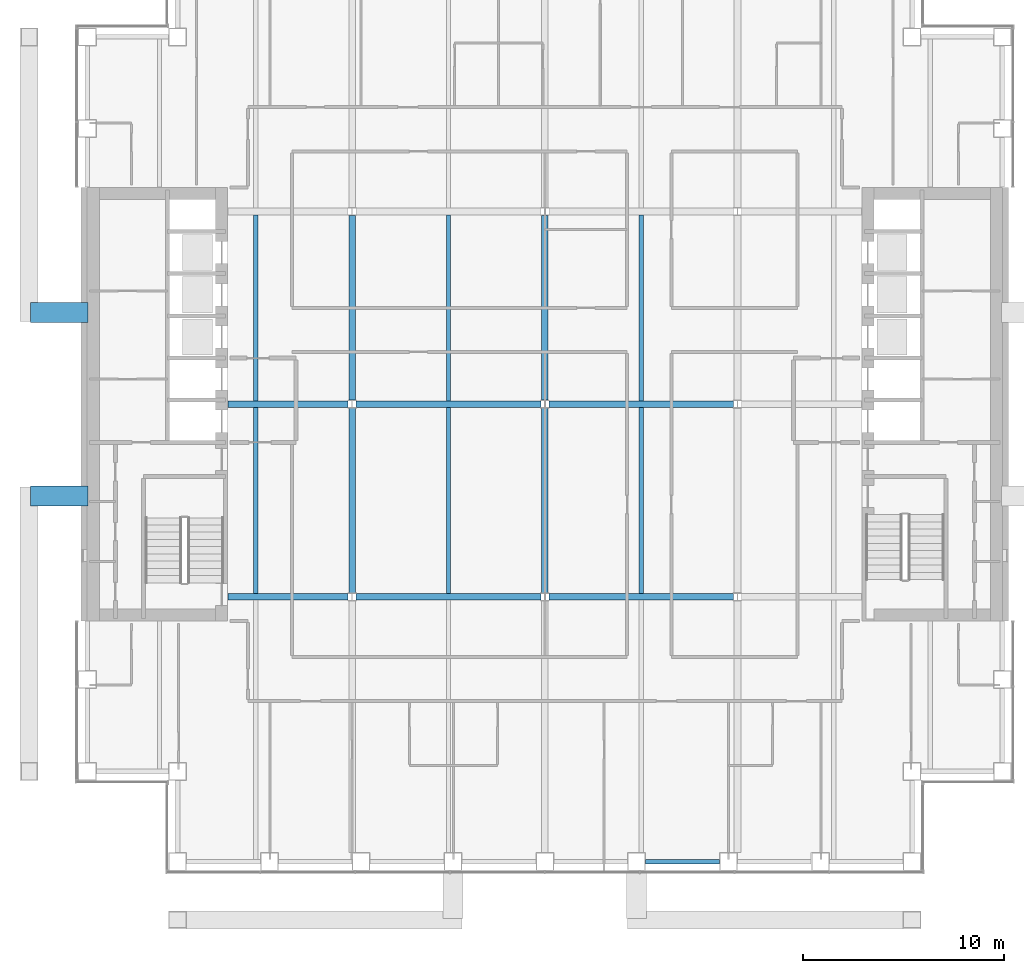
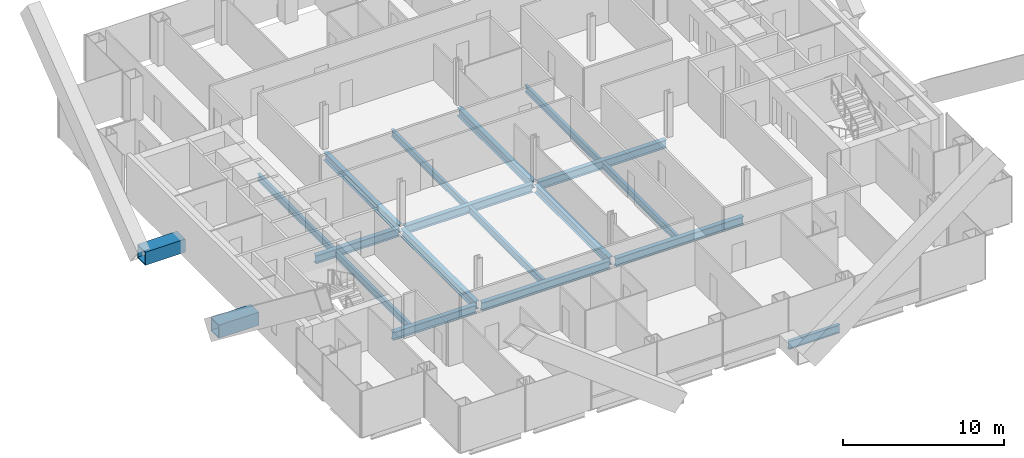
# One storey, part 4 of 17: 19 beams.
"""IFC4 building model written with IfcOpenShell, lengths in metres."""

from ifc_helpers import new_model, si_unit, direction, frame, origin, origin_2d, place, context, subcontext, project, spatial, hollow_rectangle, i_section, extrude, material, material_profile, profile_set, type_object, element, save


model = new_model("IFC4")

# Units and contexts
model_context = context("Model", 3, precision=1e-05, world=origin(), true_north=direction((0.0, 1.0)))
body_context = subcontext(model_context, "Body", "Model", "MODEL_VIEW")
ifc_project = project(units=[si_unit("LENGTHUNIT", "METRE"), si_unit("AREAUNIT", "SQUARE_METRE"), si_unit("VOLUMEUNIT", "CUBIC_METRE"), si_unit("PLANEANGLEUNIT", "RADIAN"), si_unit("MASSUNIT", "GRAM", prefix="KILO")], contexts=[model_context])

# Site, building, storey
site_placement = place(None, origin())
site = spatial("IfcSite", under=ifc_project, at=site_placement, CompositionType="ELEMENT")
building_placement = place(site_placement, origin())
building = spatial("IfcBuilding", under=site, at=building_placement, Name="Cobrizo Arcos Hotel Tower", CompositionType="ELEMENT")
storey_placement = place(building_placement, frame((0.0, 0.0, 106.5)))
storey = spatial("IfcBuildingStorey", under=building, at=storey_placement, Name="L26", CompositionType="ELEMENT", Elevation=106.5)

# Beams
ifc_material_1 = material(Name="Steel ASTM A572 Grade 50", Category="steel")
ifc_material_profile_1 = material_profile(ifc_material_1, hollow_rectangle(XDim=1.0, YDim=1.0, WallThickness=0.06005859375, at=origin_2d()), Name="BOX 1000X1000X60")
ifc_profile_set_1 = profile_set([ifc_material_profile_1], Name="Steel ASTM A572 Grade 50")
beam_type_1 = type_object("IfcBeamType", Name="BOX 1000X1000X60 brace connector strut", PredefinedType="BEAM", material=ifc_profile_set_1)
for number, where, z_axis, x_axis, name in (
    (1, (-22.75, -4.574951171875, 0.5), (-1.0, 0.0, 0.0), (0.0, -1.0, 0.0), "Perimeter brace stub BS1, zone Z2, west face, offset -4.58 m, L26"),
    (2, (-22.75, 4.574951171875, 0.5), (-1.0, 0.0, 0.0), (0.0, -1.0, 0.0), "Perimeter brace stub BS1, zone Z2, west face, offset +4.58 m, L26"),
):
    element("IfcBeam", number, at=place(storey_placement, frame(where, z_axis=z_axis, x_axis=x_axis)), inside=storey, type_object=beam_type_1, Name=name, PredefinedType="BEAM", context=body_context, shape_type="SweptSolid", body=[
        extrude(hollow_rectangle(XDim=1.0, YDim=1.0, WallThickness=0.06005859375, at=origin_2d()), origin(), (0.0, 0.0, 1.0), 2.8701171875),
    ])
ifc_material_2 = material(Name="Steel ASTM A992 Grade 50", Category="steel")
ifc_material_profile_2 = material_profile(ifc_material_2, i_section(OverallWidth=0.209228515625, OverallDepth=0.533447265625, WebThickness=0.01025390625, FlangeThickness=0.015625, at=origin_2d()), Name="W21X62")
ifc_profile_set_2 = profile_set([ifc_material_profile_2], Name="Steel ASTM A992 Grade 50")
beam_type_2 = type_object("IfcBeamType", Name="W21X62 joist", PredefinedType="JOIST", material=ifc_profile_set_2)
for number, where, z_axis, x_axis, name in (
    (3, (-14.39990234375, -9.43603515625, -0.416748046875), (0.0, 1.0, 0.0), (-1.0, 0.0, 0.0), "Floor joist J1, L26, no. 004"),
    (4, (-14.39990234375, 0.163818359375, -0.416748046875), (0.0, 1.0, 0.0), (-1.0, 0.0, 0.0), "Floor joist J1, L26, no. 005"),
    (5, (-4.800048828125, -9.43603515625, -0.416748046875), (0.0, 1.0, 0.0), (-1.0, 0.0, 0.0), "Floor joist J1, L26, no. 008"),
    (6, (-4.800048828125, 0.163818359375, -0.416748046875), (0.0, 1.0, 0.0), (-1.0, 0.0, 0.0), "Floor joist J1, L26, no. 009"),
    (7, (4.800048828125, -9.43603515625, -0.416748046875), (0.0, 1.0, 0.0), (-1.0, 0.0, 0.0), "Floor joist J1, L26, no. 012"),
    (8, (4.800048828125, 0.163818359375, -0.416748046875), (0.0, 1.0, 0.0), (-1.0, 0.0, 0.0), "Floor joist J1, L26, no. 013"),
):
    element("IfcBeam", number, at=place(storey_placement, frame(where, z_axis=z_axis, x_axis=x_axis)), inside=storey, type_object=beam_type_2, Name=name, PredefinedType="JOIST", context=body_context, shape_type="SweptSolid", body=[
        extrude(i_section(OverallWidth=0.209228515625, OverallDepth=0.533447265625, WebThickness=0.01025390625, FlangeThickness=0.015625, at=origin_2d()), origin(), (0.0, 0.0, 1.0), 9.272216796875),
    ])
ifc_material_profile_3 = material_profile(ifc_material_2, i_section(OverallWidth=0.32763671875, OverallDepth=0.622314453125, WebThickness=0.015380859375, FlangeThickness=0.0244140625, at=origin_2d()), Name="W24X131")
ifc_profile_set_3 = profile_set([ifc_material_profile_3], Name="Steel ASTM A992 Grade 50")
beam_type_3 = type_object("IfcBeamType", Name="W24X131 girder", PredefinedType="BEAM", material=ifc_profile_set_3)
beam_1_placement = place(storey_placement, frame((-15.7900390625, -9.60009765625, -0.461181640625), z_axis=(1.0, 0.0, 0.0), x_axis=(0.0, 1.0, 0.0)))
element("IfcBeam", 9, at=beam_1_placement, inside=storey, type_object=beam_type_3, Name="Floor girder G1, L26, no. 001", PredefinedType="BEAM", context=body_context, shape_type="SweptSolid", body=[
    extrude(i_section(OverallWidth=0.32763671875, OverallDepth=0.622314453125, WebThickness=0.015380859375, FlangeThickness=0.0244140625, at=origin_2d()), origin(), (0.0, 0.0, 1.0), 5.99072265625),
])
for number, where, z_axis, x_axis, name in (
    (10, (-9.400634765625, -9.60009765625, -0.461181640625), (1.0, 0.0, 0.0), (0.0, 1.0, 0.0), "Floor girder G1, L26, no. 002"),
    (11, (0.199462890625, -9.60009765625, -0.461181640625), (1.0, 0.0, 0.0), (0.0, 1.0, 0.0), "Floor girder G1, L26, no. 003"),
):
    element("IfcBeam", number, at=place(storey_placement, frame(where, z_axis=z_axis, x_axis=x_axis)), inside=storey, type_object=beam_type_3, Name=name, PredefinedType="BEAM", context=body_context, shape_type="SweptSolid", body=[
        extrude(i_section(OverallWidth=0.32763671875, OverallDepth=0.622314453125, WebThickness=0.015380859375, FlangeThickness=0.0244140625, at=origin_2d()), origin(), (0.0, 0.0, 1.0), 9.201171875),
    ])
beam_2_placement = place(storey_placement, frame((-15.7900390625, 0.0, -0.461181640625), z_axis=(1.0, 0.0, 0.0), x_axis=(0.0, 1.0, 0.0)))
element("IfcBeam", 12, at=beam_2_placement, inside=storey, type_object=beam_type_3, Name="Floor girder G1, L26, no. 005", PredefinedType="BEAM", context=body_context, shape_type="SweptSolid", body=[
    extrude(i_section(OverallWidth=0.32763671875, OverallDepth=0.622314453125, WebThickness=0.015380859375, FlangeThickness=0.0244140625, at=origin_2d()), origin(), (0.0, 0.0, 1.0), 5.99072265625),
])
for number, where, z_axis, x_axis, name in (
    (13, (-9.400634765625, 0.0, -0.461181640625), (1.0, 0.0, 0.0), (0.0, 1.0, 0.0), "Floor girder G1, L26, no. 006"),
    (14, (0.199462890625, 0.0, -0.461181640625), (1.0, 0.0, 0.0), (0.0, 1.0, 0.0), "Floor girder G1, L26, no. 007"),
    (15, (-9.60009765625, -9.400634765625, -0.461181640625), (0.0, 1.0, 0.0), (-1.0, 0.0, 0.0), "Floor girder G1, L26, no. 014"),
    (16, (-9.60009765625, 0.199462890625, -0.461181640625), (0.0, 1.0, 0.0), (-1.0, 0.0, 0.0), "Floor girder G1, L26, no. 015"),
    (17, (0.0, -9.400634765625, -0.461181640625), (0.0, 1.0, 0.0), (-1.0, 0.0, 0.0), "Floor girder G1, L26, no. 018"),
    (18, (0.0, 0.199462890625, -0.461181640625), (0.0, 1.0, 0.0), (-1.0, 0.0, 0.0), "Floor girder G1, L26, no. 019"),
):
    element("IfcBeam", number, at=place(storey_placement, frame(where, z_axis=z_axis, x_axis=x_axis)), inside=storey, type_object=beam_type_3, Name=name, PredefinedType="BEAM", context=body_context, shape_type="SweptSolid", body=[
        extrude(i_section(OverallWidth=0.32763671875, OverallDepth=0.622314453125, WebThickness=0.015380859375, FlangeThickness=0.0244140625, at=origin_2d()), origin(), (0.0, 0.0, 1.0), 9.201171875),
    ])
ifc_material_profile_4 = material_profile(ifc_material_2, i_section(OverallWidth=0.23046875, OverallDepth=0.6171875, WebThickness=0.01318359375, FlangeThickness=0.022216796875, at=origin_2d()), Name="W24X94")
ifc_profile_set_4 = profile_set([ifc_material_profile_4], Name="Steel ASTM A992 Grade 50")
beam_type_4 = type_object("IfcBeamType", Name="W24X94 spandrel", PredefinedType="SPANDREL", material=ifc_profile_set_4)
beam_3_placement = place(storey_placement, frame((5.02490234375, -22.800048828125, -0.45849609375), z_axis=(1.0, 0.0, 0.0), x_axis=(0.0, 1.0, 0.0)))
element("IfcBeam", 19, at=beam_3_placement, inside=storey, type_object=beam_type_4, Name="Spandrel beam W24X94, L26, no. 006", PredefinedType="SPANDREL", context=body_context, shape_type="SweptSolid", body=[
    extrude(i_section(OverallWidth=0.23046875, OverallDepth=0.6171875, WebThickness=0.01318359375, FlangeThickness=0.022216796875, at=origin_2d()), origin(), (0.0, 0.0, 1.0), 3.675048828125),
])

save(model, "model.ifc")
